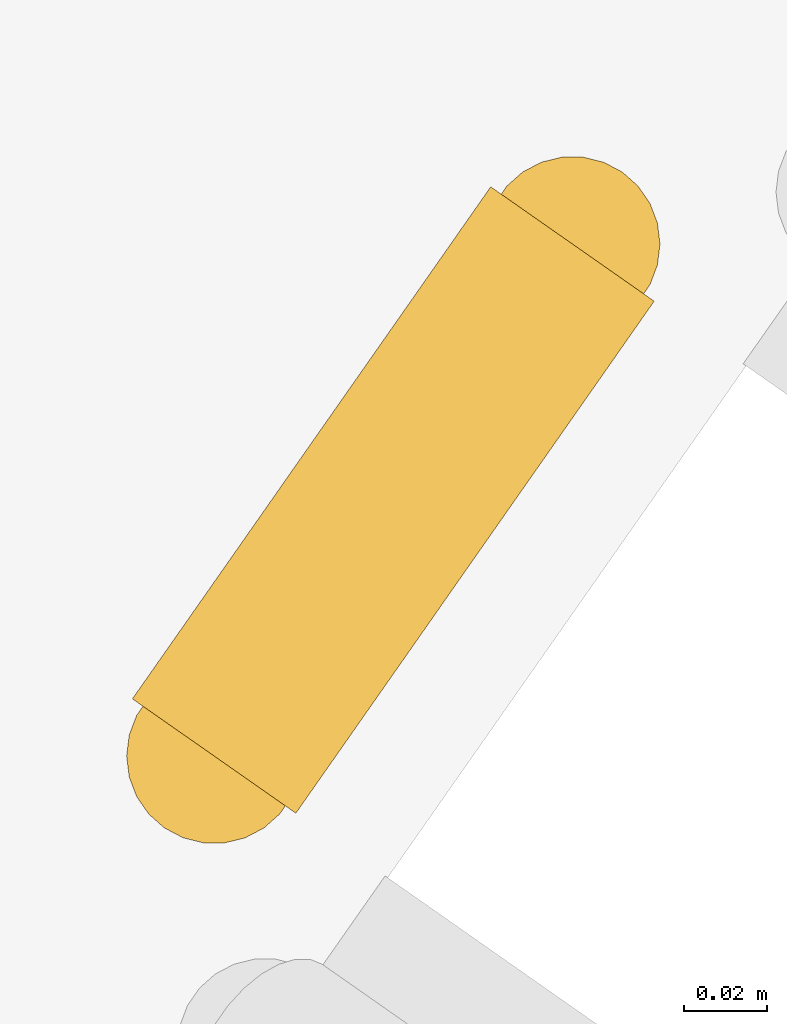
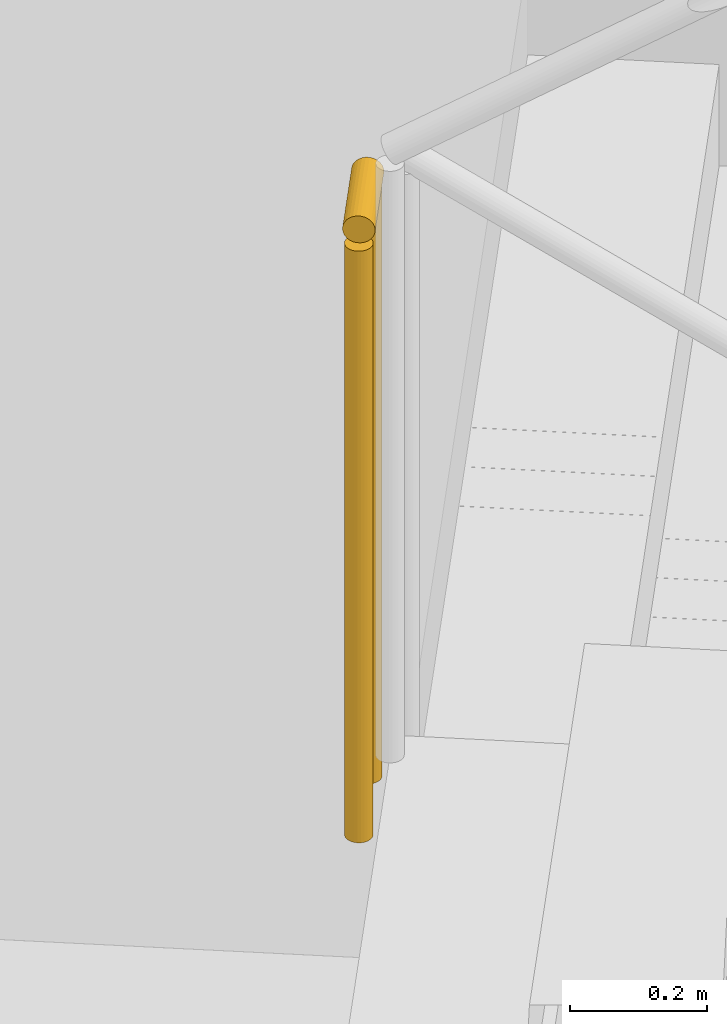
# One storey, part 21 of 23: 1 railing.
"""IFC4 building model written with IfcOpenShell, lengths in metres."""

from ifc_helpers import new_model, si_unit, direction, frame, origin, origin_2d, place, context, subcontext, project, spatial, circle, extrude, material, type_object, element, save


model = new_model("IFC4")

# Units and contexts
model_context = context("Model", 3, precision=1e-05, world=origin(), true_north=direction((0.0, 1.0)))
body_context = subcontext(model_context, "Body", "Model", "MODEL_VIEW")
ifc_project = project(units=[si_unit("LENGTHUNIT", "METRE"), si_unit("AREAUNIT", "SQUARE_METRE"), si_unit("VOLUMEUNIT", "CUBIC_METRE"), si_unit("PLANEANGLEUNIT", "RADIAN"), si_unit("MASSUNIT", "GRAM", prefix="KILO")], contexts=[model_context])

# Site, building, storey
site_placement = place(None, origin())
site = spatial("IfcSite", under=ifc_project, at=site_placement, CompositionType="ELEMENT")
building_placement = place(site_placement, origin())
building = spatial("IfcBuilding", under=site, at=building_placement, Name="Tel Ilan Convention Tower", CompositionType="ELEMENT")
storey_placement = place(building_placement, frame((0.0, 0.0, 83.300048828125)))
storey = spatial("IfcBuildingStorey", under=building, at=storey_placement, Name="L16", CompositionType="ELEMENT", Elevation=83.300048828125)

# Railing
ifc_material = material(Name="Stainless Steel Grade 316", Category="steel")
railing_type = type_object("IfcRailingType", Name="Stainless Steel Stair Guard 1100 mm", PredefinedType="GUARDRAIL", material=ifc_material)
railing_placement = place(storey_placement, frame((18.762939453125, -10.391357421875, 1.800048828125)))
element("IfcRailing", 1, at=railing_placement, inside=storey, type_object=railing_type, Name="L16 S4 stair guard 2", PredefinedType="GUARDRAIL", context=body_context, shape_type="SweptSolid", body=[
    extrude(circle(Radius=0.02392578125, at=origin_2d()), frame((0.0, 0.0, 1.076171875), z_axis=(-0.573353020881, -0.819308436089, 0.0), x_axis=(0.819308436089, -0.573353020881, 0.0)), (0.0, 0.0, 1.0), 0.14990234375),
    extrude(circle(Radius=0.02099609375, at=origin_2d()), origin(), (0.0, 0.0, 1.0), 1.052001953125),
    extrude(circle(Radius=0.02099609375, at=origin_2d()), frame((-0.0859375, -0.122802734375, 0.0)), (0.0, 0.0, 1.0), 1.052001953125),
])

save(model, "model.ifc")
